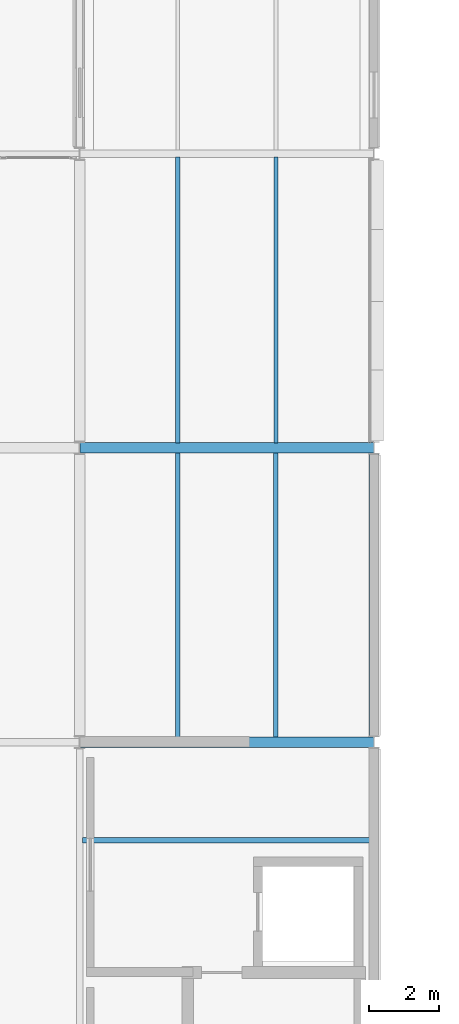
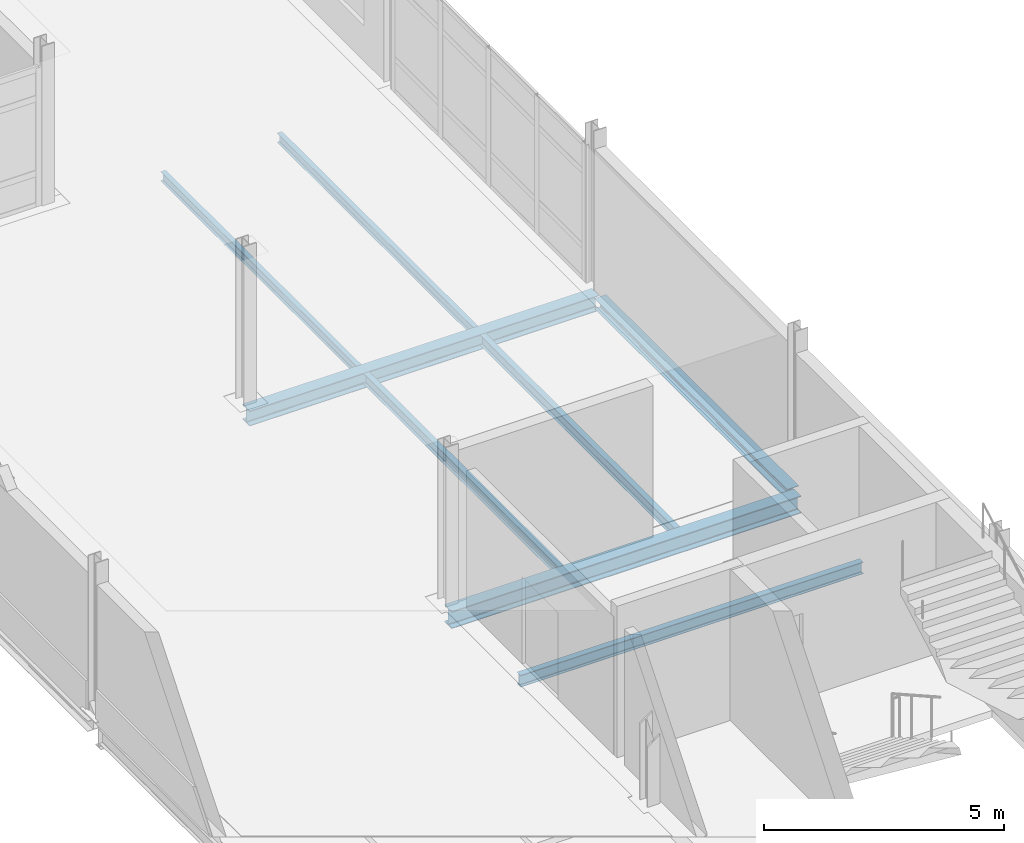
# One storey, part 63 of 103: 8 beams.
"""IFC4 building model written with IfcOpenShell, lengths in metres."""

from ifc_helpers import new_model, si_unit, direction, frame, origin, origin_2d, place, context, subcontext, project, spatial, i_section, extrude, material, material_profile, profile_set, type_object, element, save


model = new_model("IFC4")

# Units and contexts
model_context = context("Model", 3, precision=1e-05, world=origin(), true_north=direction((0.0, 1.0)))
body_context = subcontext(model_context, "Body", "Model", "MODEL_VIEW")
ifc_project = project(units=[si_unit("LENGTHUNIT", "METRE"), si_unit("AREAUNIT", "SQUARE_METRE"), si_unit("VOLUMEUNIT", "CUBIC_METRE"), si_unit("PLANEANGLEUNIT", "RADIAN"), si_unit("MASSUNIT", "GRAM", prefix="KILO")], contexts=[model_context])

# Site, building, storey
site_placement = place(None, origin())
site = spatial("IfcSite", under=ifc_project, at=site_placement, CompositionType="ELEMENT")
building_placement = place(site_placement, origin())
building = spatial("IfcBuilding", under=site, at=building_placement, Name="Mersafa Astral City Hall", CompositionType="ELEMENT")
storey_placement = place(building_placement, frame((0.0, 0.0, 18.0)))
storey = spatial("IfcBuildingStorey", under=building, at=storey_placement, Name="L04", CompositionType="ELEMENT", Elevation=18.0)

# Beams
ifc_material = material(Name="Steel S355", Category="steel")
ifc_material_profile_1 = material_profile(ifc_material, i_section(OverallWidth=0.300048828125, OverallDepth=0.389892578125, WebThickness=0.010986328125, FlangeThickness=0.01904296875, FilletRadius=0.027099609375, at=origin_2d()), Name="HEA 400")
ifc_profile_set_1 = profile_set([ifc_material_profile_1], Name="Steel S355")
beam_type_1 = type_object("IfcBeamType", Name="STR-BM-HEA400", PredefinedType="BEAM", material=ifc_profile_set_1)
beam_1_placement = place(storey_placement, frame((168.0029296875, 75.60009765625, -0.3798828125), z_axis=(1.0, 0.0, 0.0), x_axis=(0.0, 1.0, 0.0)))
element("IfcBeam", 1, at=beam_1_placement, inside=storey, type_object=beam_type_1, Name="L04 Primary girder X 20-9", PredefinedType="BEAM", context=body_context, shape_type="SweptSolid", body=[
    extrude(i_section(OverallWidth=0.300048828125, OverallDepth=0.389892578125, WebThickness=0.010986328125, FlangeThickness=0.01904296875, FilletRadius=0.027099609375, at=origin_2d()), origin(), (0.0, 0.0, 1.0), 8.39404296875),
])
ifc_material_profile_2 = material_profile(ifc_material, i_section(OverallWidth=0.300048828125, OverallDepth=0.43994140625, WebThickness=0.011474609375, FlangeThickness=0.02099609375, FilletRadius=0.027099609375, at=origin_2d()), Name="HEA 450")
ifc_profile_set_2 = profile_set([ifc_material_profile_2], Name="Steel S355")
beam_type_2 = type_object("IfcBeamType", Name="STR-BM-HEA450", PredefinedType="BEAM", material=ifc_profile_set_2)
beam_2_placement = place(storey_placement, frame((168.0029296875, 67.199951171875, -0.405029296875), z_axis=(1.0, 0.0, 0.0), x_axis=(0.0, 1.0, 0.0)))
element("IfcBeam", 2, at=beam_2_placement, inside=storey, type_object=beam_type_2, Name="L04 Primary girder X 20-8", PredefinedType="BEAM", context=body_context, shape_type="SweptSolid", body=[
    extrude(i_section(OverallWidth=0.300048828125, OverallDepth=0.43994140625, WebThickness=0.011474609375, FlangeThickness=0.02099609375, FilletRadius=0.027099609375, at=origin_2d()), origin(), (0.0, 0.0, 1.0), 8.39404296875),
])
ifc_material_profile_3 = material_profile(ifc_material, i_section(OverallWidth=0.1201171875, OverallDepth=0.239990234375, WebThickness=0.006103515625, FlangeThickness=0.009765625, FilletRadius=0.014892578125, at=origin_2d()), Name="IPE 240")
ifc_profile_set_3 = profile_set([ifc_material_profile_3], Name="Steel S355")
beam_type_3 = type_object("IfcBeamType", Name="STR-BM-JOIST-IPE240", PredefinedType="JOIST", material=ifc_profile_set_3)
for number, where, z_axis, x_axis, name in (
    (3, (170.800048828125, 75.7451171875, -0.304931640625), (0.0, 1.0, 0.0), (-1.0, 0.0, 0.0), "L04 Composite secondary floor joist 777"),
    (4, (173.60009765625, 75.7451171875, -0.304931640625), (0.0, 1.0, 0.0), (-1.0, 0.0, 0.0), "L04 Composite secondary floor joist 778"),
):
    element("IfcBeam", number, at=place(storey_placement, frame(where, z_axis=z_axis, x_axis=x_axis)), inside=storey, type_object=beam_type_3, Name=name, PredefinedType="JOIST", context=body_context, shape_type="SweptSolid", body=[
        extrude(i_section(OverallWidth=0.1201171875, OverallDepth=0.239990234375, WebThickness=0.006103515625, FlangeThickness=0.009765625, FilletRadius=0.014892578125, at=origin_2d()), origin(), (0.0, 0.0, 1.0), 8.15478515625),
    ])
ifc_material_profile_4 = material_profile(ifc_material, i_section(OverallWidth=0.135009765625, OverallDepth=0.27001953125, WebThickness=0.006591796875, FlangeThickness=0.01025390625, FilletRadius=0.014892578125, at=origin_2d()), Name="IPE 270")
ifc_profile_set_4 = profile_set([ifc_material_profile_4], Name="Steel S355")
beam_type_4 = type_object("IfcBeamType", Name="STR-BM-JOIST-IPE270", PredefinedType="JOIST", material=ifc_profile_set_4)
for number, where, z_axis, x_axis, name in (
    (5, (170.800048828125, 67.344970703125, -0.320068359375), (0.0, 1.0, 0.0), (-1.0, 0.0, 0.0), "L04 Composite secondary floor joist 775"),
    (6, (173.60009765625, 67.344970703125, -0.320068359375), (0.0, 1.0, 0.0), (-1.0, 0.0, 0.0), "L04 Composite secondary floor joist 776"),
):
    element("IfcBeam", number, at=place(storey_placement, frame(where, z_axis=z_axis, x_axis=x_axis)), inside=storey, type_object=beam_type_4, Name=name, PredefinedType="JOIST", context=body_context, shape_type="SweptSolid", body=[
        extrude(i_section(OverallWidth=0.135009765625, OverallDepth=0.27001953125, WebThickness=0.006591796875, FlangeThickness=0.01025390625, FilletRadius=0.014892578125, at=origin_2d()), origin(), (0.0, 0.0, 1.0), 8.110107421875),
    ])
ifc_material_profile_5 = material_profile(ifc_material, i_section(OverallWidth=0.14990234375, OverallDepth=0.300048828125, WebThickness=0.007080078125, FlangeThickness=0.0107421875, FilletRadius=0.014892578125, at=origin_2d()), Name="IPE 300")
ifc_profile_set_5 = profile_set([ifc_material_profile_5], Name="Steel S355")
beam_type_5 = type_object("IfcBeamType", Name="STR-BM-JOIST-IPE300", PredefinedType="JOIST", material=ifc_profile_set_5)
beam_3_placement = place(storey_placement, frame((168.0849609375, 64.39990234375, -0.3349609375), z_axis=(1.0, 0.0, 0.0), x_axis=(0.0, 1.0, 0.0)))
element("IfcBeam", 7, at=beam_3_placement, inside=storey, type_object=beam_type_5, Name="L04 Composite secondary floor joist 774", PredefinedType="JOIST", context=body_context, shape_type="SweptSolid", body=[
    extrude(i_section(OverallWidth=0.14990234375, OverallDepth=0.300048828125, WebThickness=0.007080078125, FlangeThickness=0.0107421875, FilletRadius=0.014892578125, at=origin_2d()), origin(), (0.0, 0.0, 1.0), 8.235107421875),
])
ifc_material_profile_6 = material_profile(ifc_material, i_section(OverallWidth=0.280029296875, OverallDepth=0.27001953125, WebThickness=0.008056640625, FlangeThickness=0.012939453125, FilletRadius=0.02392578125, at=origin_2d()), Name="HEA 280")
ifc_profile_set_6 = profile_set([ifc_material_profile_6], Name="Steel S355")
beam_type_6 = type_object("IfcBeamType", Name="STR-BM-SPANDREL-HEA280", PredefinedType="SPANDREL", material=ifc_profile_set_6)
beam_4_placement = place(storey_placement, frame((176.39990234375, 67.39501953125, -0.320068359375), z_axis=(0.0, 1.0, 0.0), x_axis=(-1.0, 0.0, 0.0)))
element("IfcBeam", 8, at=beam_4_placement, inside=storey, type_object=beam_type_6, Name="L04 Primary girder Y 21-8", PredefinedType="SPANDREL", context=body_context, shape_type="SweptSolid", body=[
    extrude(i_section(OverallWidth=0.280029296875, OverallDepth=0.27001953125, WebThickness=0.008056640625, FlangeThickness=0.012939453125, FilletRadius=0.02392578125, at=origin_2d()), origin(), (0.0, 0.0, 1.0), 8.010009765625),
])

save(model, "model.ifc")
